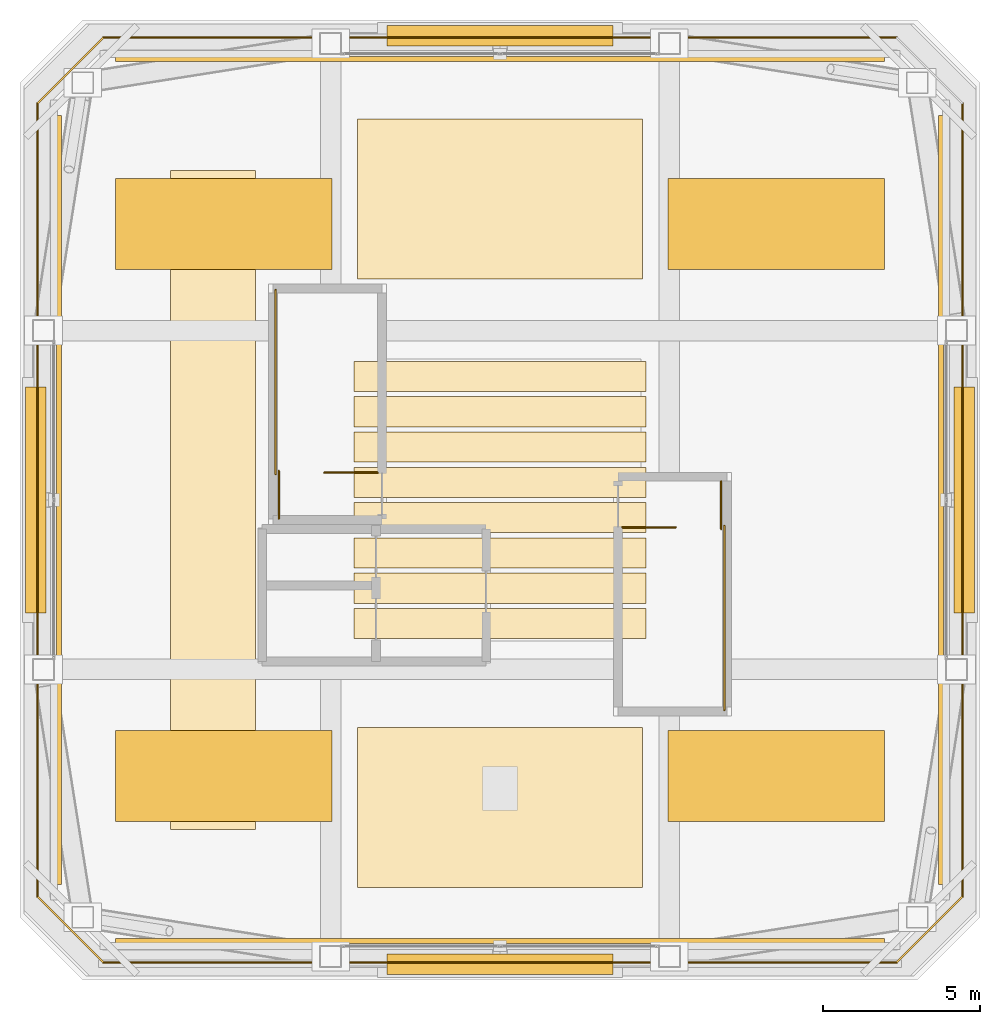
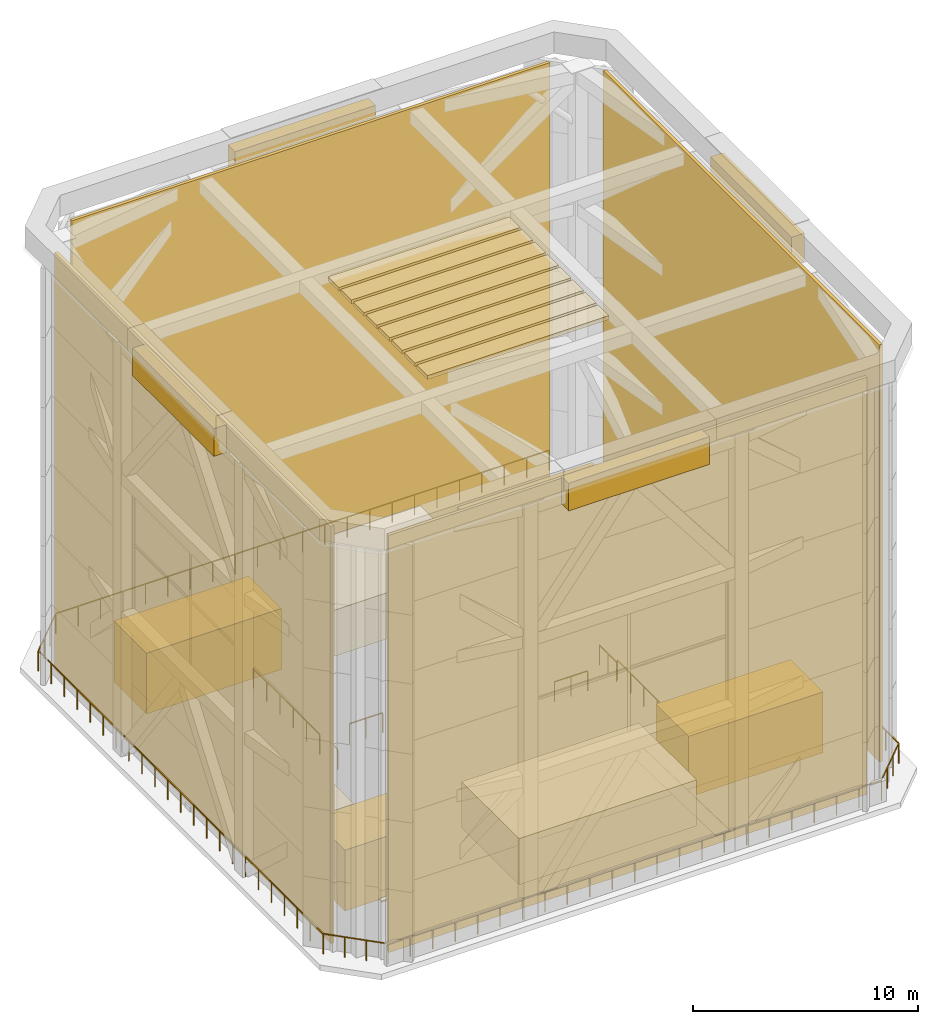
# One storey, part 26 of 28: 19 coverings, 13 railings, 4 shading devices.
"""IFC4 building model written with IfcOpenShell, lengths in metres."""

from ifc_helpers import new_model, si_unit, direction, frame, origin, origin_2d, place, context, subcontext, project, spatial, polyline, rectangle, outline, extrude, material, layer, layer_set, type_object, element, save


model = new_model("IFC4")

# Units and contexts
model_context = context("Model", 3, precision=1e-05, world=origin(), true_north=direction((0.0, 1.0)))
body_context = subcontext(model_context, "Body", "Model", "MODEL_VIEW")
ifc_project = project(units=[si_unit("LENGTHUNIT", "METRE"), si_unit("AREAUNIT", "SQUARE_METRE"), si_unit("VOLUMEUNIT", "CUBIC_METRE"), si_unit("PLANEANGLEUNIT", "RADIAN"), si_unit("MASSUNIT", "GRAM", prefix="KILO")], contexts=[model_context])

# Site, building, storey
site_placement = place(None, origin())
site = spatial("IfcSite", under=ifc_project, at=site_placement, CompositionType="ELEMENT")
building_placement = place(site_placement, origin())
building = spatial("IfcBuilding", under=site, at=building_placement, Name="Tashvorn Skyway Center", CompositionType="ELEMENT")
storey_placement = place(building_placement, frame((0.0, 0.0, 277.60009765625)))
storey = spatial("IfcBuildingStorey", under=building, at=storey_placement, Name="Roof Level", CompositionType="ELEMENT", Elevation=277.60009765625)

# Coverings
ifc_material_1 = material(Name="Precast concrete C40/50", Category="concrete")
ifc_layer_1 = layer(ifc_material_1, 0.050048828125)
ifc_layer_set_1 = layer_set([ifc_layer_1], Name="Precast concrete C40/50")
covering_type_1 = type_object("IfcCoveringType", Name="COV-CLAD-50", PredefinedType="CLADDING", material=ifc_layer_set_1)
for number, where, z_axis, x_axis, name in (
    (1, (33.199951171875, 23.199951171875, 0.0), (0.0, 0.0, 1.0), (1.0, 0.0, 0.0), "Tower 1 Crown Chiller Acoustic Enclosure 1"),
    (2, (50.800048828125, 23.199951171875, 0.0), (0.0, 0.0, 1.0), (1.0, 0.0, 0.0), "Tower 1 Crown Chiller Acoustic Enclosure 2"),
    (3, (33.199951171875, 40.800048828125, 0.0), (0.0, 0.0, 1.0), (1.0, 0.0, 0.0), "Tower 1 Crown Chiller Acoustic Enclosure 3"),
    (4, (50.800048828125, 40.800048828125, 0.0), (0.0, 0.0, 1.0), (1.0, 0.0, 0.0), "Tower 1 Crown Chiller Acoustic Enclosure 4"),
):
    element("IfcCovering", number, at=place(storey_placement, frame(where, z_axis=z_axis, x_axis=x_axis)), inside=storey, type_object=covering_type_1, Name=name, PredefinedType="CLADDING", context=body_context, shape_type="SweptSolid", body=[
        extrude(rectangle(XDim=6.89990234375, YDim=2.89990234375, at=origin_2d()), origin(), (0.0, 0.0, 1.0), 3.300048828125),
    ])
for number, where, z_axis, x_axis, name in (
    (5, (42.0, 41.60009765625, 0.0), (0.0, 0.0, 1.0), (1.0, 0.0, 0.0), "Tower 1 Crown Water Tank Cladding Jacket 1"),
    (6, (42.0, 22.199951171875, 0.0), (0.0, 0.0, 1.0), (1.0, 0.0, 0.0), "Tower 1 Crown Water Tank Cladding Jacket 2"),
):
    element("IfcCovering", number, at=place(storey_placement, frame(where, z_axis=z_axis, x_axis=x_axis)), inside=storey, type_object=covering_type_1, Name=name, PredefinedType="CLADDING", context=body_context, shape_type="SweptSolid", body=[
        extrude(rectangle(XDim=9.10009765625, YDim=5.10009765625, at=origin_2d()), origin(), (0.0, 0.0, 1.0), 2.5),
    ])
ifc_material_2 = material(Name="Perforated ceramic-coated bronze aluminium solar screen", Category="aluminium")
ifc_layer_2 = layer(ifc_material_2, 0.2099609375)
ifc_layer_set_2 = layer_set([ifc_layer_2], Name="Perforated ceramic-coated bronze aluminium solar screen")
covering_type_2 = type_object("IfcCoveringType", Name="COV-LOUVRE-GRILLE", PredefinedType="CLADDING", material=ifc_layer_set_2)
for number, where, z_axis, x_axis, name in (
    (7, (42.0, 28.0625, 22.58984375), (0.0, 0.0, 1.0), (1.0, 0.0, 0.0), "CROWN Top Acoustic Louvre Roof Grille T1-1"),
    (8, (42.0, 29.1875, 22.58984375), (0.0, 0.0, 1.0), (1.0, 0.0, 0.0), "CROWN Top Acoustic Louvre Roof Grille T1-2"),
    (9, (42.0, 30.3125, 22.58984375), (0.0, 0.0, 1.0), (1.0, 0.0, 0.0), "CROWN Top Acoustic Louvre Roof Grille T1-3"),
    (10, (42.0, 31.4375, 22.58984375), (0.0, 0.0, 1.0), (1.0, 0.0, 0.0), "CROWN Top Acoustic Louvre Roof Grille T1-4"),
    (11, (42.0, 32.5625, 22.58984375), (0.0, 0.0, 1.0), (1.0, 0.0, 0.0), "CROWN Top Acoustic Louvre Roof Grille T1-5"),
    (12, (42.0, 33.6875, 22.58984375), (0.0, 0.0, 1.0), (1.0, 0.0, 0.0), "CROWN Top Acoustic Louvre Roof Grille T1-6"),
    (13, (42.0, 34.8125, 22.58984375), (0.0, 0.0, 1.0), (1.0, 0.0, 0.0), "CROWN Top Acoustic Louvre Roof Grille T1-7"),
    (14, (42.0, 35.9375, 22.58984375), (0.0, 0.0, 1.0), (1.0, 0.0, 0.0), "CROWN Top Acoustic Louvre Roof Grille T1-8"),
):
    element("IfcCovering", number, at=place(storey_placement, frame(where, z_axis=z_axis, x_axis=x_axis)), inside=storey, type_object=covering_type_2, Name=name, PredefinedType="CLADDING", context=body_context, shape_type="SweptSolid", body=[
        extrude(rectangle(XDim=9.300048828125, YDim=0.9599609375, at=origin_2d()), origin(), (0.0, 0.0, 1.0), 0.2099609375),
    ])
ifc_material_3 = material(Name="Inverted EPDM membrane and extruded polystyrene insulation")
ifc_layer_3 = layer(ifc_material_3, 0.080078125)
ifc_layer_set_3 = layer_set([ifc_layer_3], Name="Inverted EPDM membrane and extruded polystyrene insulation")
covering_type_3 = type_object("IfcCoveringType", Name="COV-ROOF-80", PredefinedType="ROOFING", material=ifc_layer_set_3)
covering_placement = place(storey_placement, origin())
element("IfcCovering", 15, at=covering_placement, inside=storey, type_object=covering_type_3, Name="Tower 1 Main Roof Insulated Membrane", PredefinedType="ROOFING", context=body_context, shape_type="SweptSolid", body=[
    extrude(outline(polyline([(31.5, 21.5), (34.199951171875, 21.5), (34.199951171875, 42.5), (31.5, 42.5), (31.5, 21.5)])), origin(), (0.0, 0.0, 1.0), 0.079833984375),
])
ifc_layer_4 = layer(ifc_material_1, 0.35009765625)
ifc_layer_set_4 = layer_set([ifc_layer_4], Name="Precast concrete C40/50")
covering_type_4 = type_object("IfcCoveringType", Name="COV-STONE-TRIM", PredefinedType="CLADDING", material=ifc_layer_set_4)
for number, where, z_axis, x_axis, name in (
    (16, (42.0, 17.199951171875, 21.599853515625), (0.0, 0.0, 1.0), (1.0, 0.0, 0.0), "CROWN Postmodern Pediment Tablet T1 S"),
    (17, (56.800048828125, 32.0, 21.599853515625), (0.0, 0.0, 1.0), (0.0, 1.0, 0.0), "CROWN Postmodern Pediment Tablet T1 E"),
    (18, (42.0, 46.800048828125, 21.599853515625), (0.0, 0.0, 1.0), (-1.0, 0.0, 0.0), "CROWN Postmodern Pediment Tablet T1 N"),
    (19, (27.199951171875, 32.0, 21.599853515625), (0.0, 0.0, 1.0), (0.0, -1.0, 0.0), "CROWN Postmodern Pediment Tablet T1 W"),
):
    element("IfcCovering", number, at=place(storey_placement, frame(where, z_axis=z_axis, x_axis=x_axis)), inside=storey, type_object=covering_type_4, Name=name, PredefinedType="CLADDING", context=body_context, shape_type="SweptSolid", body=[
        extrude(rectangle(XDim=7.199951171875, YDim=0.64990234375, at=origin_2d()), origin(), (0.0, 0.0, 1.0), 1.5),
    ])

# Railings
ifc_material_4 = material(Name="Galvanized steel S355", Category="steel")
railing_type_1 = type_object("IfcRailingType", Name="RAIL-GUARD-1120", PredefinedType="GUARDRAIL", material=ifc_material_4)
railing_1_placement = place(storey_placement, frame((29.360107421875, 17.260009765625, 0.0)))
element("IfcRailing", 20, at=railing_1_placement, inside=storey, type_object=railing_type_1, Name="Roof Level Tower 1 Crown Plant Deck Guardrail 01", PredefinedType="GUARDRAIL", context=body_context, shape_type="SweptSolid", body=[
    extrude(rectangle(XDim=0.048095703125, YDim=0.048095703125, at=origin_2d()), frame((0.0, 0.0, 1.09619140625), z_axis=(1.0, 0.0, 0.0), x_axis=(0.0, 1.0, 0.0)), (0.0, 0.0, 1.0), 25.27978515625),
    extrude(rectangle(XDim=0.0419921875, YDim=0.0419921875, at=origin_2d()), origin(), (0.0, 0.0, 1.0), 1.072021484375),
    extrude(rectangle(XDim=0.0419921875, YDim=0.0419921875, at=origin_2d()), frame((1.149169921875, 0.0, 0.0)), (0.0, 0.0, 1.0), 1.072021484375),
    extrude(rectangle(XDim=0.0419921875, YDim=0.0419921875, at=origin_2d()), frame((2.298095703125, 0.0, 0.0)), (0.0, 0.0, 1.0), 1.072021484375),
    extrude(rectangle(XDim=0.0419921875, YDim=0.0419921875, at=origin_2d()), frame((3.447265625, 0.0, 0.0)), (0.0, 0.0, 1.0), 1.072021484375),
    extrude(rectangle(XDim=0.0419921875, YDim=0.0419921875, at=origin_2d()), frame((4.596435546875, 0.0, 0.0)), (0.0, 0.0, 1.0), 1.072021484375),
    extrude(rectangle(XDim=0.0419921875, YDim=0.0419921875, at=origin_2d()), frame((5.745361328125, 0.0, 0.0)), (0.0, 0.0, 1.0), 1.072021484375),
    extrude(rectangle(XDim=0.0419921875, YDim=0.0419921875, at=origin_2d()), frame((6.89453125, 0.0, 0.0)), (0.0, 0.0, 1.0), 1.072021484375),
    extrude(rectangle(XDim=0.0419921875, YDim=0.0419921875, at=origin_2d()), frame((8.04345703125, 0.0, 0.0)), (0.0, 0.0, 1.0), 1.072021484375),
    extrude(rectangle(XDim=0.0419921875, YDim=0.0419921875, at=origin_2d()), frame((9.192626953125, 0.0, 0.0)), (0.0, 0.0, 1.0), 1.072021484375),
    extrude(rectangle(XDim=0.0419921875, YDim=0.0419921875, at=origin_2d()), frame((10.341796875, 0.0, 0.0)), (0.0, 0.0, 1.0), 1.072021484375),
    extrude(rectangle(XDim=0.0419921875, YDim=0.0419921875, at=origin_2d()), frame((11.49072265625, 0.0, 0.0)), (0.0, 0.0, 1.0), 1.072021484375),
    extrude(rectangle(XDim=0.0419921875, YDim=0.0419921875, at=origin_2d()), frame((12.639892578125, 0.0, 0.0)), (0.0, 0.0, 1.0), 1.072021484375),
    extrude(rectangle(XDim=0.0419921875, YDim=0.0419921875, at=origin_2d()), frame((13.7890625, 0.0, 0.0)), (0.0, 0.0, 1.0), 1.072021484375),
    extrude(rectangle(XDim=0.0419921875, YDim=0.0419921875, at=origin_2d()), frame((14.93798828125, 0.0, 0.0)), (0.0, 0.0, 1.0), 1.072021484375),
    extrude(rectangle(XDim=0.0419921875, YDim=0.0419921875, at=origin_2d()), frame((16.087158203125, 0.0, 0.0)), (0.0, 0.0, 1.0), 1.072021484375),
    extrude(rectangle(XDim=0.0419921875, YDim=0.0419921875, at=origin_2d()), frame((17.236328125, 0.0, 0.0)), (0.0, 0.0, 1.0), 1.072021484375),
    extrude(rectangle(XDim=0.0419921875, YDim=0.0419921875, at=origin_2d()), frame((18.38525390625, 0.0, 0.0)), (0.0, 0.0, 1.0), 1.072021484375),
    extrude(rectangle(XDim=0.0419921875, YDim=0.0419921875, at=origin_2d()), frame((19.534423828125, 0.0, 0.0)), (0.0, 0.0, 1.0), 1.072021484375),
    extrude(rectangle(XDim=0.0419921875, YDim=0.0419921875, at=origin_2d()), frame((20.683349609375, 0.0, 0.0)), (0.0, 0.0, 1.0), 1.072021484375),
    extrude(rectangle(XDim=0.0419921875, YDim=0.0419921875, at=origin_2d()), frame((21.83251953125, 0.0, 0.0)), (0.0, 0.0, 1.0), 1.072021484375),
    extrude(rectangle(XDim=0.0419921875, YDim=0.0419921875, at=origin_2d()), frame((22.981689453125, 0.0, 0.0)), (0.0, 0.0, 1.0), 1.072021484375),
    extrude(rectangle(XDim=0.0419921875, YDim=0.0419921875, at=origin_2d()), frame((24.130615234375, 0.0, 0.0)), (0.0, 0.0, 1.0), 1.072021484375),
    extrude(rectangle(XDim=0.0419921875, YDim=0.0419921875, at=origin_2d()), frame((25.27978515625, 0.0, 0.0)), (0.0, 0.0, 1.0), 1.072021484375),
])
railing_2_placement = place(storey_placement, frame((54.639892578125, 17.260009765625, 0.0)))
element("IfcRailing", 21, at=railing_2_placement, inside=storey, type_object=railing_type_1, Name="Roof Level Tower 1 Crown Plant Deck Guardrail 02", PredefinedType="GUARDRAIL", context=body_context, shape_type="SweptSolid", body=[
    extrude(rectangle(XDim=0.048095703125, YDim=0.048095703125, at=origin_2d()), frame((0.0, 0.0, 1.09619140625), z_axis=(0.707106781187, 0.707106781187, 0.0), x_axis=(-0.707106781187, 0.707106781187, 0.0)), (0.0, 0.0, 1.0), 2.969970703125),
    extrude(rectangle(XDim=0.0419921875, YDim=0.0419921875, at=origin_2d()), origin(), (0.0, 0.0, 1.0), 1.072021484375),
    extrude(rectangle(XDim=0.0419921875, YDim=0.0419921875, at=origin_2d()), frame((0.699951171875, 0.699951171875, 0.0)), (0.0, 0.0, 1.0), 1.072021484375),
    extrude(rectangle(XDim=0.0419921875, YDim=0.0419921875, at=origin_2d()), frame((1.400146484375, 1.400146484375, 0.0)), (0.0, 0.0, 1.0), 1.072021484375),
    extrude(rectangle(XDim=0.0419921875, YDim=0.0419921875, at=origin_2d()), frame((2.10009765625, 2.10009765625, 0.0)), (0.0, 0.0, 1.0), 1.072021484375),
])
railing_3_placement = place(storey_placement, frame((56.739990234375, 19.360107421875, 0.0)))
element("IfcRailing", 22, at=railing_3_placement, inside=storey, type_object=railing_type_1, Name="Roof Level Tower 1 Crown Plant Deck Guardrail 03", PredefinedType="GUARDRAIL", context=body_context, shape_type="SweptSolid", body=[
    extrude(rectangle(XDim=0.048095703125, YDim=0.048095703125, at=origin_2d()), frame((0.0, 0.0, 1.09619140625), z_axis=(0.0, 1.0, 0.0), x_axis=(-1.0, 0.0, 0.0)), (0.0, 0.0, 1.0), 25.27978515625),
    extrude(rectangle(XDim=0.0419921875, YDim=0.0419921875, at=origin_2d()), origin(), (0.0, 0.0, 1.0), 1.072021484375),
    extrude(rectangle(XDim=0.0419921875, YDim=0.0419921875, at=origin_2d()), frame((0.0, 1.149169921875, 0.0)), (0.0, 0.0, 1.0), 1.072021484375),
    extrude(rectangle(XDim=0.0419921875, YDim=0.0419921875, at=origin_2d()), frame((0.0, 2.298095703125, 0.0)), (0.0, 0.0, 1.0), 1.072021484375),
    extrude(rectangle(XDim=0.0419921875, YDim=0.0419921875, at=origin_2d()), frame((0.0, 3.447265625, 0.0)), (0.0, 0.0, 1.0), 1.072021484375),
    extrude(rectangle(XDim=0.0419921875, YDim=0.0419921875, at=origin_2d()), frame((0.0, 4.596435546875, 0.0)), (0.0, 0.0, 1.0), 1.072021484375),
    extrude(rectangle(XDim=0.0419921875, YDim=0.0419921875, at=origin_2d()), frame((0.0, 5.745361328125, 0.0)), (0.0, 0.0, 1.0), 1.072021484375),
    extrude(rectangle(XDim=0.0419921875, YDim=0.0419921875, at=origin_2d()), frame((0.0, 6.89453125, 0.0)), (0.0, 0.0, 1.0), 1.072021484375),
    extrude(rectangle(XDim=0.0419921875, YDim=0.0419921875, at=origin_2d()), frame((0.0, 8.04345703125, 0.0)), (0.0, 0.0, 1.0), 1.072021484375),
    extrude(rectangle(XDim=0.0419921875, YDim=0.0419921875, at=origin_2d()), frame((0.0, 9.192626953125, 0.0)), (0.0, 0.0, 1.0), 1.072021484375),
    extrude(rectangle(XDim=0.0419921875, YDim=0.0419921875, at=origin_2d()), frame((0.0, 10.341796875, 0.0)), (0.0, 0.0, 1.0), 1.072021484375),
    extrude(rectangle(XDim=0.0419921875, YDim=0.0419921875, at=origin_2d()), frame((0.0, 11.49072265625, 0.0)), (0.0, 0.0, 1.0), 1.072021484375),
    extrude(rectangle(XDim=0.0419921875, YDim=0.0419921875, at=origin_2d()), frame((0.0, 12.639892578125, 0.0)), (0.0, 0.0, 1.0), 1.072021484375),
    extrude(rectangle(XDim=0.0419921875, YDim=0.0419921875, at=origin_2d()), frame((0.0, 13.7890625, 0.0)), (0.0, 0.0, 1.0), 1.072021484375),
    extrude(rectangle(XDim=0.0419921875, YDim=0.0419921875, at=origin_2d()), frame((0.0, 14.93798828125, 0.0)), (0.0, 0.0, 1.0), 1.072021484375),
    extrude(rectangle(XDim=0.0419921875, YDim=0.0419921875, at=origin_2d()), frame((0.0, 16.087158203125, 0.0)), (0.0, 0.0, 1.0), 1.072021484375),
    extrude(rectangle(XDim=0.0419921875, YDim=0.0419921875, at=origin_2d()), frame((0.0, 17.236328125, 0.0)), (0.0, 0.0, 1.0), 1.072021484375),
    extrude(rectangle(XDim=0.0419921875, YDim=0.0419921875, at=origin_2d()), frame((0.0, 18.38525390625, 0.0)), (0.0, 0.0, 1.0), 1.072021484375),
    extrude(rectangle(XDim=0.0419921875, YDim=0.0419921875, at=origin_2d()), frame((0.0, 19.534423828125, 0.0)), (0.0, 0.0, 1.0), 1.072021484375),
    extrude(rectangle(XDim=0.0419921875, YDim=0.0419921875, at=origin_2d()), frame((0.0, 20.683349609375, 0.0)), (0.0, 0.0, 1.0), 1.072021484375),
    extrude(rectangle(XDim=0.0419921875, YDim=0.0419921875, at=origin_2d()), frame((0.0, 21.83251953125, 0.0)), (0.0, 0.0, 1.0), 1.072021484375),
    extrude(rectangle(XDim=0.0419921875, YDim=0.0419921875, at=origin_2d()), frame((0.0, 22.981689453125, 0.0)), (0.0, 0.0, 1.0), 1.072021484375),
    extrude(rectangle(XDim=0.0419921875, YDim=0.0419921875, at=origin_2d()), frame((0.0, 24.130615234375, 0.0)), (0.0, 0.0, 1.0), 1.072021484375),
    extrude(rectangle(XDim=0.0419921875, YDim=0.0419921875, at=origin_2d()), frame((0.0, 25.27978515625, 0.0)), (0.0, 0.0, 1.0), 1.072021484375),
])
railing_4_placement = place(storey_placement, frame((54.639892578125, 46.739990234375, 0.0)))
element("IfcRailing", 23, at=railing_4_placement, inside=storey, type_object=railing_type_1, Name="Roof Level Tower 1 Crown Plant Deck Guardrail 05", PredefinedType="GUARDRAIL", context=body_context, shape_type="SweptSolid", body=[
    extrude(rectangle(XDim=0.048095703125, YDim=0.048095703125, at=origin_2d()), frame((0.0, 0.0, 1.09619140625), z_axis=(-1.0, 0.0, 0.0), x_axis=(0.0, -1.0, 0.0)), (0.0, 0.0, 1.0), 25.27978515625),
    extrude(rectangle(XDim=0.0419921875, YDim=0.0419921875, at=origin_2d()), origin(), (0.0, 0.0, 1.0), 1.072021484375),
    extrude(rectangle(XDim=0.0419921875, YDim=0.0419921875, at=origin_2d()), frame((-1.149169921875, 0.0, 0.0)), (0.0, 0.0, 1.0), 1.072021484375),
    extrude(rectangle(XDim=0.0419921875, YDim=0.0419921875, at=origin_2d()), frame((-2.298095703125, 0.0, 0.0)), (0.0, 0.0, 1.0), 1.072021484375),
    extrude(rectangle(XDim=0.0419921875, YDim=0.0419921875, at=origin_2d()), frame((-3.447265625, 0.0, 0.0)), (0.0, 0.0, 1.0), 1.072021484375),
    extrude(rectangle(XDim=0.0419921875, YDim=0.0419921875, at=origin_2d()), frame((-4.596435546875, 0.0, 0.0)), (0.0, 0.0, 1.0), 1.072021484375),
    extrude(rectangle(XDim=0.0419921875, YDim=0.0419921875, at=origin_2d()), frame((-5.745361328125, 0.0, 0.0)), (0.0, 0.0, 1.0), 1.072021484375),
    extrude(rectangle(XDim=0.0419921875, YDim=0.0419921875, at=origin_2d()), frame((-6.89453125, 0.0, 0.0)), (0.0, 0.0, 1.0), 1.072021484375),
    extrude(rectangle(XDim=0.0419921875, YDim=0.0419921875, at=origin_2d()), frame((-8.04345703125, 0.0, 0.0)), (0.0, 0.0, 1.0), 1.072021484375),
    extrude(rectangle(XDim=0.0419921875, YDim=0.0419921875, at=origin_2d()), frame((-9.192626953125, 0.0, 0.0)), (0.0, 0.0, 1.0), 1.072021484375),
    extrude(rectangle(XDim=0.0419921875, YDim=0.0419921875, at=origin_2d()), frame((-10.341796875, 0.0, 0.0)), (0.0, 0.0, 1.0), 1.072021484375),
    extrude(rectangle(XDim=0.0419921875, YDim=0.0419921875, at=origin_2d()), frame((-11.49072265625, 0.0, 0.0)), (0.0, 0.0, 1.0), 1.072021484375),
    extrude(rectangle(XDim=0.0419921875, YDim=0.0419921875, at=origin_2d()), frame((-12.639892578125, 0.0, 0.0)), (0.0, 0.0, 1.0), 1.072021484375),
    extrude(rectangle(XDim=0.0419921875, YDim=0.0419921875, at=origin_2d()), frame((-13.7890625, 0.0, 0.0)), (0.0, 0.0, 1.0), 1.072021484375),
    extrude(rectangle(XDim=0.0419921875, YDim=0.0419921875, at=origin_2d()), frame((-14.93798828125, 0.0, 0.0)), (0.0, 0.0, 1.0), 1.072021484375),
    extrude(rectangle(XDim=0.0419921875, YDim=0.0419921875, at=origin_2d()), frame((-16.087158203125, 0.0, 0.0)), (0.0, 0.0, 1.0), 1.072021484375),
    extrude(rectangle(XDim=0.0419921875, YDim=0.0419921875, at=origin_2d()), frame((-17.236328125, 0.0, 0.0)), (0.0, 0.0, 1.0), 1.072021484375),
    extrude(rectangle(XDim=0.0419921875, YDim=0.0419921875, at=origin_2d()), frame((-18.38525390625, 0.0, 0.0)), (0.0, 0.0, 1.0), 1.072021484375),
    extrude(rectangle(XDim=0.0419921875, YDim=0.0419921875, at=origin_2d()), frame((-19.534423828125, 0.0, 0.0)), (0.0, 0.0, 1.0), 1.072021484375),
    extrude(rectangle(XDim=0.0419921875, YDim=0.0419921875, at=origin_2d()), frame((-20.683349609375, 0.0, 0.0)), (0.0, 0.0, 1.0), 1.072021484375),
    extrude(rectangle(XDim=0.0419921875, YDim=0.0419921875, at=origin_2d()), frame((-21.83251953125, 0.0, 0.0)), (0.0, 0.0, 1.0), 1.072021484375),
    extrude(rectangle(XDim=0.0419921875, YDim=0.0419921875, at=origin_2d()), frame((-22.981689453125, 0.0, 0.0)), (0.0, 0.0, 1.0), 1.072021484375),
    extrude(rectangle(XDim=0.0419921875, YDim=0.0419921875, at=origin_2d()), frame((-24.130615234375, 0.0, 0.0)), (0.0, 0.0, 1.0), 1.072021484375),
    extrude(rectangle(XDim=0.0419921875, YDim=0.0419921875, at=origin_2d()), frame((-25.27978515625, 0.0, 0.0)), (0.0, 0.0, 1.0), 1.072021484375),
])
railing_5_placement = place(storey_placement, frame((29.360107421875, 46.739990234375, 0.0)))
element("IfcRailing", 24, at=railing_5_placement, inside=storey, type_object=railing_type_1, Name="Roof Level Tower 1 Crown Plant Deck Guardrail 06", PredefinedType="GUARDRAIL", context=body_context, shape_type="SweptSolid", body=[
    extrude(rectangle(XDim=0.048095703125, YDim=0.048095703125, at=origin_2d()), frame((0.0, 0.0, 1.09619140625), z_axis=(-0.707106781187, -0.707106781187, 0.0), x_axis=(0.707106781187, -0.707106781187, 0.0)), (0.0, 0.0, 1.0), 2.969970703125),
    extrude(rectangle(XDim=0.0419921875, YDim=0.0419921875, at=origin_2d()), origin(), (0.0, 0.0, 1.0), 1.072021484375),
    extrude(rectangle(XDim=0.0419921875, YDim=0.0419921875, at=origin_2d()), frame((-0.699951171875, -0.699951171875, 0.0)), (0.0, 0.0, 1.0), 1.072021484375),
    extrude(rectangle(XDim=0.0419921875, YDim=0.0419921875, at=origin_2d()), frame((-1.400146484375, -1.400146484375, 0.0)), (0.0, 0.0, 1.0), 1.072021484375),
    extrude(rectangle(XDim=0.0419921875, YDim=0.0419921875, at=origin_2d()), frame((-2.10009765625, -2.10009765625, 0.0)), (0.0, 0.0, 1.0), 1.072021484375),
])
railing_6_placement = place(storey_placement, frame((27.260009765625, 44.639892578125, 0.0)))
element("IfcRailing", 25, at=railing_6_placement, inside=storey, type_object=railing_type_1, Name="Roof Level Tower 1 Crown Plant Deck Guardrail 07", PredefinedType="GUARDRAIL", context=body_context, shape_type="SweptSolid", body=[
    extrude(rectangle(XDim=0.048095703125, YDim=0.048095703125, at=origin_2d()), frame((0.0, 0.0, 1.09619140625), z_axis=(0.0, -1.0, 0.0), x_axis=(1.0, 0.0, 0.0)), (0.0, 0.0, 1.0), 25.27978515625),
    extrude(rectangle(XDim=0.0419921875, YDim=0.0419921875, at=origin_2d()), origin(), (0.0, 0.0, 1.0), 1.072021484375),
    extrude(rectangle(XDim=0.0419921875, YDim=0.0419921875, at=origin_2d()), frame((0.0, -1.149169921875, 0.0)), (0.0, 0.0, 1.0), 1.072021484375),
    extrude(rectangle(XDim=0.0419921875, YDim=0.0419921875, at=origin_2d()), frame((0.0, -2.298095703125, 0.0)), (0.0, 0.0, 1.0), 1.072021484375),
    extrude(rectangle(XDim=0.0419921875, YDim=0.0419921875, at=origin_2d()), frame((0.0, -3.447265625, 0.0)), (0.0, 0.0, 1.0), 1.072021484375),
    extrude(rectangle(XDim=0.0419921875, YDim=0.0419921875, at=origin_2d()), frame((0.0, -4.596435546875, 0.0)), (0.0, 0.0, 1.0), 1.072021484375),
    extrude(rectangle(XDim=0.0419921875, YDim=0.0419921875, at=origin_2d()), frame((0.0, -5.745361328125, 0.0)), (0.0, 0.0, 1.0), 1.072021484375),
    extrude(rectangle(XDim=0.0419921875, YDim=0.0419921875, at=origin_2d()), frame((0.0, -6.89453125, 0.0)), (0.0, 0.0, 1.0), 1.072021484375),
    extrude(rectangle(XDim=0.0419921875, YDim=0.0419921875, at=origin_2d()), frame((0.0, -8.04345703125, 0.0)), (0.0, 0.0, 1.0), 1.072021484375),
    extrude(rectangle(XDim=0.0419921875, YDim=0.0419921875, at=origin_2d()), frame((0.0, -9.192626953125, 0.0)), (0.0, 0.0, 1.0), 1.072021484375),
    extrude(rectangle(XDim=0.0419921875, YDim=0.0419921875, at=origin_2d()), frame((0.0, -10.341796875, 0.0)), (0.0, 0.0, 1.0), 1.072021484375),
    extrude(rectangle(XDim=0.0419921875, YDim=0.0419921875, at=origin_2d()), frame((0.0, -11.49072265625, 0.0)), (0.0, 0.0, 1.0), 1.072021484375),
    extrude(rectangle(XDim=0.0419921875, YDim=0.0419921875, at=origin_2d()), frame((0.0, -12.639892578125, 0.0)), (0.0, 0.0, 1.0), 1.072021484375),
    extrude(rectangle(XDim=0.0419921875, YDim=0.0419921875, at=origin_2d()), frame((0.0, -13.7890625, 0.0)), (0.0, 0.0, 1.0), 1.072021484375),
    extrude(rectangle(XDim=0.0419921875, YDim=0.0419921875, at=origin_2d()), frame((0.0, -14.93798828125, 0.0)), (0.0, 0.0, 1.0), 1.072021484375),
    extrude(rectangle(XDim=0.0419921875, YDim=0.0419921875, at=origin_2d()), frame((0.0, -16.087158203125, 0.0)), (0.0, 0.0, 1.0), 1.072021484375),
    extrude(rectangle(XDim=0.0419921875, YDim=0.0419921875, at=origin_2d()), frame((0.0, -17.236328125, 0.0)), (0.0, 0.0, 1.0), 1.072021484375),
    extrude(rectangle(XDim=0.0419921875, YDim=0.0419921875, at=origin_2d()), frame((0.0, -18.38525390625, 0.0)), (0.0, 0.0, 1.0), 1.072021484375),
    extrude(rectangle(XDim=0.0419921875, YDim=0.0419921875, at=origin_2d()), frame((0.0, -19.534423828125, 0.0)), (0.0, 0.0, 1.0), 1.072021484375),
    extrude(rectangle(XDim=0.0419921875, YDim=0.0419921875, at=origin_2d()), frame((0.0, -20.683349609375, 0.0)), (0.0, 0.0, 1.0), 1.072021484375),
    extrude(rectangle(XDim=0.0419921875, YDim=0.0419921875, at=origin_2d()), frame((0.0, -21.83251953125, 0.0)), (0.0, 0.0, 1.0), 1.072021484375),
    extrude(rectangle(XDim=0.0419921875, YDim=0.0419921875, at=origin_2d()), frame((0.0, -22.981689453125, 0.0)), (0.0, 0.0, 1.0), 1.072021484375),
    extrude(rectangle(XDim=0.0419921875, YDim=0.0419921875, at=origin_2d()), frame((0.0, -24.130615234375, 0.0)), (0.0, 0.0, 1.0), 1.072021484375),
    extrude(rectangle(XDim=0.0419921875, YDim=0.0419921875, at=origin_2d()), frame((0.0, -25.27978515625, 0.0)), (0.0, 0.0, 1.0), 1.072021484375),
])
railing_7_placement = place(storey_placement, frame((27.260009765625, 19.360107421875, 0.0)))
element("IfcRailing", 26, at=railing_7_placement, inside=storey, type_object=railing_type_1, Name="Roof Level Tower 1 Crown Plant Deck Guardrail 08", PredefinedType="GUARDRAIL", context=body_context, shape_type="SweptSolid", body=[
    extrude(rectangle(XDim=0.048095703125, YDim=0.048095703125, at=origin_2d()), frame((0.0, 0.0, 1.09619140625), z_axis=(0.707106781187, -0.707106781187, 0.0), x_axis=(0.707106781187, 0.707106781187, 0.0)), (0.0, 0.0, 1.0), 2.969970703125),
    extrude(rectangle(XDim=0.0419921875, YDim=0.0419921875, at=origin_2d()), origin(), (0.0, 0.0, 1.0), 1.072021484375),
    extrude(rectangle(XDim=0.0419921875, YDim=0.0419921875, at=origin_2d()), frame((0.699951171875, -0.699951171875, 0.0)), (0.0, 0.0, 1.0), 1.072021484375),
    extrude(rectangle(XDim=0.0419921875, YDim=0.0419921875, at=origin_2d()), frame((1.400146484375, -1.400146484375, 0.0)), (0.0, 0.0, 1.0), 1.072021484375),
    extrude(rectangle(XDim=0.0419921875, YDim=0.0419921875, at=origin_2d()), frame((2.10009765625, -2.10009765625, 0.0)), (0.0, 0.0, 1.0), 1.072021484375),
])
ifc_material_5 = material(Name="Painted galvanized steel S355", Category="steel")
railing_type_2 = type_object("IfcRailingType", Name="RAIL-STGUARD-1100", PredefinedType="GUARDRAIL", material=ifc_material_5)
railing_8_placement = place(storey_placement, frame((38.10009765625, 32.8701171875, 0.0)))
element("IfcRailing", 27, at=railing_8_placement, inside=storey, type_object=railing_type_2, Name="Roof Level ST-T1-1 top well guard 1", PredefinedType="GUARDRAIL", context=body_context, shape_type="SweptSolid", body=[
    extrude(rectangle(XDim=0.048095703125, YDim=0.048095703125, at=origin_2d()), frame((0.0, 0.0, 1.076171875), z_axis=(-1.0, 0.0, 0.0), x_axis=(0.0, -1.0, 0.0)), (0.0, 0.0, 1.0), 1.7001953125),
    extrude(rectangle(XDim=0.0419921875, YDim=0.0419921875, at=origin_2d()), origin(), (0.0, 0.0, 1.0), 1.052001953125),
    extrude(rectangle(XDim=0.0419921875, YDim=0.0419921875, at=origin_2d()), frame((-0.85009765625, 0.0, 0.0)), (0.0, 0.0, 1.0), 1.052001953125),
    extrude(rectangle(XDim=0.0419921875, YDim=0.0419921875, at=origin_2d()), frame((-1.7001953125, 0.0, 0.0)), (0.0, 0.0, 1.0), 1.052001953125),
])
railing_9_placement = place(storey_placement, frame((34.85009765625, 32.820068359375, 0.0)))
element("IfcRailing", 28, at=railing_9_placement, inside=storey, type_object=railing_type_2, Name="Roof Level ST-T1-1 top well guard 2", PredefinedType="GUARDRAIL", context=body_context, shape_type="SweptSolid", body=[
    extrude(rectangle(XDim=0.048095703125, YDim=0.048095703125, at=origin_2d()), frame((0.0, 0.0, 1.076171875), z_axis=(0.0, 1.0, 0.0), x_axis=(-1.0, 0.0, 0.0)), (0.0, 0.0, 1.0), 5.8798828125),
    extrude(rectangle(XDim=0.0419921875, YDim=0.0419921875, at=origin_2d()), origin(), (0.0, 0.0, 1.0), 1.052001953125),
    extrude(rectangle(XDim=0.0419921875, YDim=0.0419921875, at=origin_2d()), frame((0.0, 1.176025390625, 0.0)), (0.0, 0.0, 1.0), 1.052001953125),
    extrude(rectangle(XDim=0.0419921875, YDim=0.0419921875, at=origin_2d()), frame((0.0, 2.35205078125, 0.0)), (0.0, 0.0, 1.0), 1.052001953125),
    extrude(rectangle(XDim=0.0419921875, YDim=0.0419921875, at=origin_2d()), frame((0.0, 3.52783203125, 0.0)), (0.0, 0.0, 1.0), 1.052001953125),
    extrude(rectangle(XDim=0.0419921875, YDim=0.0419921875, at=origin_2d()), frame((0.0, 4.703857421875, 0.0)), (0.0, 0.0, 1.0), 1.052001953125),
    extrude(rectangle(XDim=0.0419921875, YDim=0.0419921875, at=origin_2d()), frame((0.0, 5.8798828125, 0.0)), (0.0, 0.0, 1.0), 1.052001953125),
])
railing_10_placement = place(storey_placement, frame((34.949951171875, 31.39990234375, 0.0)))
element("IfcRailing", 29, at=railing_10_placement, inside=storey, type_object=railing_type_2, Name="Roof Level ST-T1-1 top well guard 3", PredefinedType="GUARDRAIL", context=body_context, shape_type="SweptSolid", body=[
    extrude(rectangle(XDim=0.048095703125, YDim=0.048095703125, at=origin_2d()), frame((0.0, 0.0, 1.076171875), z_axis=(0.0, 1.0, 0.0), x_axis=(-1.0, 0.0, 0.0)), (0.0, 0.0, 1.0), 1.52001953125),
    extrude(rectangle(XDim=0.0419921875, YDim=0.0419921875, at=origin_2d()), origin(), (0.0, 0.0, 1.0), 1.052001953125),
    extrude(rectangle(XDim=0.0419921875, YDim=0.0419921875, at=origin_2d()), frame((0.0, 0.760009765625, 0.0)), (0.0, 0.0, 1.0), 1.052001953125),
    extrude(rectangle(XDim=0.0419921875, YDim=0.0419921875, at=origin_2d()), frame((0.0, 1.52001953125, 0.0)), (0.0, 0.0, 1.0), 1.052001953125),
])
railing_11_placement = place(storey_placement, frame((45.89990234375, 31.1298828125, 0.0)))
element("IfcRailing", 30, at=railing_11_placement, inside=storey, type_object=railing_type_2, Name="Roof Level ST-T1-2 top well guard 1", PredefinedType="GUARDRAIL", context=body_context, shape_type="SweptSolid", body=[
    extrude(rectangle(XDim=0.048095703125, YDim=0.048095703125, at=origin_2d()), frame((0.0, 0.0, 1.076171875), z_axis=(1.0, 0.0, 0.0), x_axis=(0.0, 1.0, 0.0)), (0.0, 0.0, 1.0), 1.7001953125),
    extrude(rectangle(XDim=0.0419921875, YDim=0.0419921875, at=origin_2d()), origin(), (0.0, 0.0, 1.0), 1.052001953125),
    extrude(rectangle(XDim=0.0419921875, YDim=0.0419921875, at=origin_2d()), frame((0.85009765625, 0.0, 0.0)), (0.0, 0.0, 1.0), 1.052001953125),
    extrude(rectangle(XDim=0.0419921875, YDim=0.0419921875, at=origin_2d()), frame((1.7001953125, 0.0, 0.0)), (0.0, 0.0, 1.0), 1.052001953125),
])
railing_12_placement = place(storey_placement, frame((49.14990234375, 31.179931640625, 0.0)))
element("IfcRailing", 31, at=railing_12_placement, inside=storey, type_object=railing_type_2, Name="Roof Level ST-T1-2 top well guard 2", PredefinedType="GUARDRAIL", context=body_context, shape_type="SweptSolid", body=[
    extrude(rectangle(XDim=0.048095703125, YDim=0.048095703125, at=origin_2d()), frame((0.0, 0.0, 1.076171875), z_axis=(0.0, -1.0, 0.0), x_axis=(1.0, 0.0, 0.0)), (0.0, 0.0, 1.0), 5.8798828125),
    extrude(rectangle(XDim=0.0419921875, YDim=0.0419921875, at=origin_2d()), origin(), (0.0, 0.0, 1.0), 1.052001953125),
    extrude(rectangle(XDim=0.0419921875, YDim=0.0419921875, at=origin_2d()), frame((0.0, -1.176025390625, 0.0)), (0.0, 0.0, 1.0), 1.052001953125),
    extrude(rectangle(XDim=0.0419921875, YDim=0.0419921875, at=origin_2d()), frame((0.0, -2.35205078125, 0.0)), (0.0, 0.0, 1.0), 1.052001953125),
    extrude(rectangle(XDim=0.0419921875, YDim=0.0419921875, at=origin_2d()), frame((0.0, -3.52783203125, 0.0)), (0.0, 0.0, 1.0), 1.052001953125),
    extrude(rectangle(XDim=0.0419921875, YDim=0.0419921875, at=origin_2d()), frame((0.0, -4.703857421875, 0.0)), (0.0, 0.0, 1.0), 1.052001953125),
    extrude(rectangle(XDim=0.0419921875, YDim=0.0419921875, at=origin_2d()), frame((0.0, -5.8798828125, 0.0)), (0.0, 0.0, 1.0), 1.052001953125),
])
railing_13_placement = place(storey_placement, frame((49.050048828125, 32.60009765625, 0.0)))
element("IfcRailing", 32, at=railing_13_placement, inside=storey, type_object=railing_type_2, Name="Roof Level ST-T1-2 top well guard 3", PredefinedType="GUARDRAIL", context=body_context, shape_type="SweptSolid", body=[
    extrude(rectangle(XDim=0.048095703125, YDim=0.048095703125, at=origin_2d()), frame((0.0, 0.0, 1.076171875), z_axis=(0.0, -1.0, 0.0), x_axis=(1.0, 0.0, 0.0)), (0.0, 0.0, 1.0), 1.52001953125),
    extrude(rectangle(XDim=0.0419921875, YDim=0.0419921875, at=origin_2d()), origin(), (0.0, 0.0, 1.0), 1.052001953125),
    extrude(rectangle(XDim=0.0419921875, YDim=0.0419921875, at=origin_2d()), frame((0.0, -0.760009765625, 0.0)), (0.0, 0.0, 1.0), 1.052001953125),
    extrude(rectangle(XDim=0.0419921875, YDim=0.0419921875, at=origin_2d()), frame((0.0, -1.52001953125, 0.0)), (0.0, 0.0, 1.0), 1.052001953125),
])

# Shading devices
ifc_layer_5 = layer(ifc_material_2, 0.080078125)
ifc_layer_set_5 = layer_set([ifc_layer_5], Name="Perforated ceramic-coated bronze aluminium solar screen")
shading_device_type = type_object("IfcShadingDeviceType", Name="SHD-CROWN-550", PredefinedType="USERDEFINED", material=ifc_layer_set_5)
for number, where, z_axis, x_axis, name in (
    (33, (42.0, 17.949951171875, 0.10498046875), (0.0, 0.0, 1.0), (1.0, 0.0, 0.0), "Crown Solar Screen Panel Tower 1 S"),
    (34, (56.050048828125, 32.0, 0.10498046875), (0.0, 0.0, 1.0), (0.0, 1.0, 0.0), "Crown Solar Screen Panel Tower 1 E"),
    (35, (42.0, 46.050048828125, 0.10498046875), (0.0, 0.0, 1.0), (-1.0, 0.0, 0.0), "Crown Solar Screen Panel Tower 1 N"),
    (36, (27.949951171875, 32.0, 0.10498046875), (0.0, 0.0, 1.0), (0.0, -1.0, 0.0), "Crown Solar Screen Panel Tower 1 W"),
):
    element("IfcShadingDevice", number, at=place(storey_placement, frame(where, z_axis=z_axis, x_axis=x_axis)), inside=storey, type_object=shading_device_type, Name=name, ObjectType="SCREEN", PredefinedType="USERDEFINED", context=body_context, shape_type="SweptSolid", body=[
        extrude(rectangle(XDim=24.5, YDim=0.159912109375, at=origin_2d()), origin(), (0.0, 0.0, 1.0), 22.590087890625),
    ])

save(model, "model.ifc")
